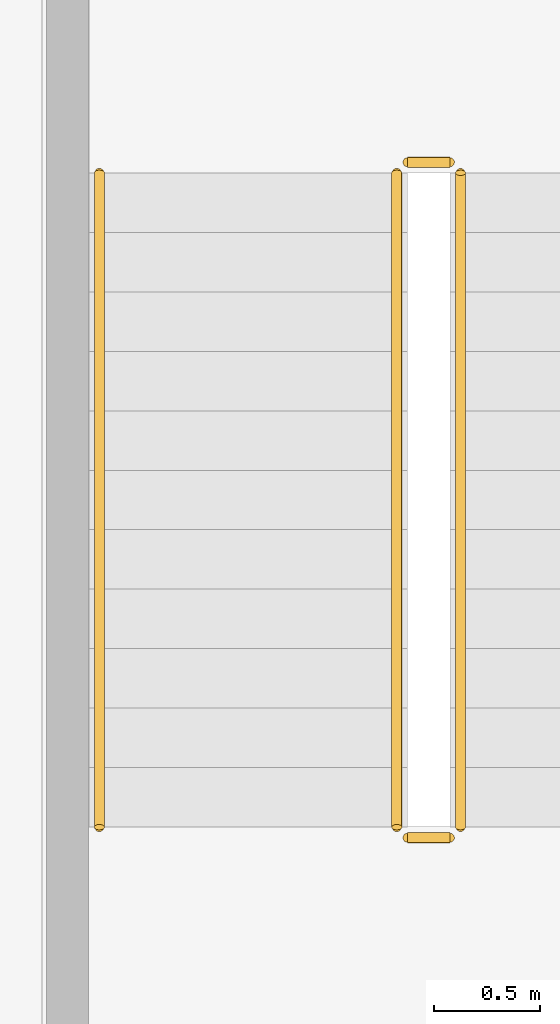
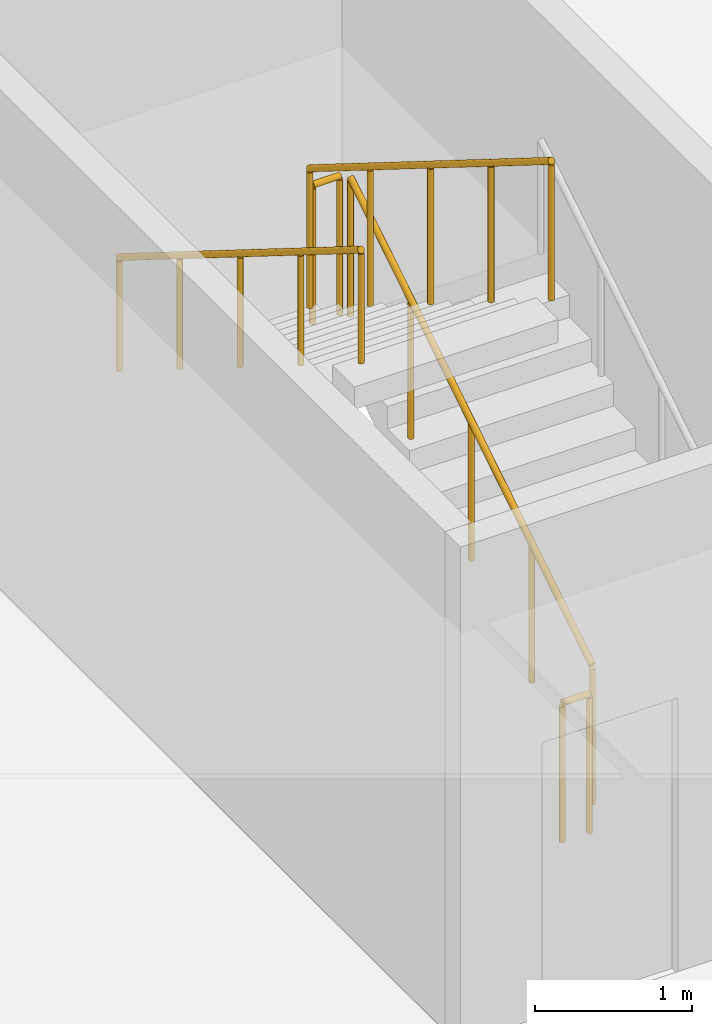
# One storey, part 20 of 22: 5 railings.
"""IFC4 building model written with IfcOpenShell, lengths in metres."""

from ifc_helpers import new_model, si_unit, direction, frame, origin, origin_2d, place, context, subcontext, project, spatial, circle, extrude, material, type_object, element, save


model = new_model("IFC4")

# Units and contexts
model_context = context("Model", 3, precision=1e-05, world=origin(), true_north=direction((0.0, 1.0)))
body_context = subcontext(model_context, "Body", "Model", "MODEL_VIEW")
ifc_project = project(units=[si_unit("LENGTHUNIT", "METRE"), si_unit("AREAUNIT", "SQUARE_METRE"), si_unit("VOLUMEUNIT", "CUBIC_METRE"), si_unit("PLANEANGLEUNIT", "RADIAN"), si_unit("MASSUNIT", "GRAM", prefix="KILO")], contexts=[model_context])

# Site, building, storey
site_placement = place(None, origin())
site = spatial("IfcSite", under=ifc_project, at=site_placement, CompositionType="ELEMENT")
building_placement = place(site_placement, origin())
building = spatial("IfcBuilding", under=site, at=building_placement, Name="Savorim Split Tower", CompositionType="ELEMENT")
storey_placement = place(building_placement, frame((0.0, 0.0, 17.60009765625)))
storey = spatial("IfcBuildingStorey", under=building, at=storey_placement, Name="L04", CompositionType="ELEMENT", Elevation=17.60009765625)

# Railings
ifc_material = material(Name="Galvanised Painted Steel Balustrade", Category="steel")
railing_type_1 = type_object("IfcRailingType", Name="RLG-HR-900", PredefinedType="HANDRAIL", material=ifc_material)
railing_1_placement = place(storey_placement, frame((20.64990234375, 18.179931640625, 2.27490234375)))
element("IfcRailing", 1, at=railing_1_placement, inside=storey, type_object=railing_type_1, Name="L04 ST-3 stair handrail 2", PredefinedType="HANDRAIL", context=body_context, shape_type="SweptSolid", body=[
    extrude(circle(Radius=0.02392578125, at=origin_2d()), frame((0.0, 0.0, 0.8759765625), z_axis=(0.0, -0.847979421464, 0.530029150871), x_axis=(1.0, 0.0, 0.0)), (0.0, 0.0, 1.0), 3.632080078125),
    extrude(circle(Radius=0.02099609375, at=origin_2d()), origin(), (0.0, 0.0, 1.0), 0.851806640625),
    extrude(circle(Radius=0.02099609375, at=origin_2d()), frame((0.0, -0.77001953125, 0.481201171875)), (0.0, 0.0, 1.0), 0.851806640625),
    extrude(circle(Radius=0.02099609375, at=origin_2d()), frame((0.0, -1.5400390625, 0.96240234375)), (0.0, 0.0, 1.0), 0.851806640625),
    extrude(circle(Radius=0.02099609375, at=origin_2d()), frame((0.0, -2.309814453125, 1.44384765625)), (0.0, 0.0, 1.0), 0.851806640625),
    extrude(circle(Radius=0.02099609375, at=origin_2d()), frame((0.0, -3.079833984375, 1.925048828125)), (0.0, 0.0, 1.0), 0.851806640625),
])
railing_type_2 = type_object("IfcRailingType", Name="RLG-STG-1100", PredefinedType="BALUSTRADE", material=ifc_material)
railing_2_placement = place(storey_placement, frame((22.35009765625, 15.10009765625, 0.1748046875)))
element("IfcRailing", 2, at=railing_2_placement, inside=storey, type_object=railing_type_2, Name="L04 ST-3 stair guard 1", PredefinedType="BALUSTRADE", context=body_context, shape_type="SweptSolid", body=[
    extrude(circle(Radius=0.02392578125, at=origin_2d()), frame((0.0, 0.0, 1.076171875), z_axis=(0.0, 0.847979421464, 0.530029150871), x_axis=(-1.0, 0.0, 0.0)), (0.0, 0.0, 1.0), 3.632080078125),
    extrude(circle(Radius=0.02099609375, at=origin_2d()), origin(), (0.0, 0.0, 1.0), 1.052001953125),
    extrude(circle(Radius=0.02099609375, at=origin_2d()), frame((0.0, 0.77001953125, 0.481201171875)), (0.0, 0.0, 1.0), 1.052001953125),
    extrude(circle(Radius=0.02099609375, at=origin_2d()), frame((0.0, 1.5400390625, 0.96240234375)), (0.0, 0.0, 1.0), 1.052001953125),
    extrude(circle(Radius=0.02099609375, at=origin_2d()), frame((0.0, 2.309814453125, 1.44384765625)), (0.0, 0.0, 1.0), 1.052001953125),
    extrude(circle(Radius=0.02099609375, at=origin_2d()), frame((0.0, 3.079833984375, 1.925048828125)), (0.0, 0.0, 1.0), 1.052001953125),
])
railing_3_placement = place(storey_placement, frame((22.300048828125, 18.22998046875, 2.099853515625)))
element("IfcRailing", 3, at=railing_3_placement, inside=storey, type_object=railing_type_2, Name="L04 ST-3 stair guard 2", PredefinedType="BALUSTRADE", context=body_context, shape_type="SweptSolid", body=[
    extrude(circle(Radius=0.02392578125, at=origin_2d()), frame((0.0, 0.0, 1.076171875), z_axis=(-1.0, 0.0, 0.0), x_axis=(0.0, -1.0, 0.0)), (0.0, 0.0, 1.0), 0.199951171875),
    extrude(circle(Radius=0.02099609375, at=origin_2d()), origin(), (0.0, 0.0, 1.0), 1.052001953125),
    extrude(circle(Radius=0.02099609375, at=origin_2d()), frame((-0.199951171875, 0.0, 0.0)), (0.0, 0.0, 1.0), 1.052001953125),
])
railing_4_placement = place(storey_placement, frame((22.050048828125, 18.179931640625, 2.27490234375)))
element("IfcRailing", 4, at=railing_4_placement, inside=storey, type_object=railing_type_2, Name="L04 ST-3 stair guard 3", PredefinedType="BALUSTRADE", context=body_context, shape_type="SweptSolid", body=[
    extrude(circle(Radius=0.02392578125, at=origin_2d()), frame((0.0, 0.0, 1.076171875), z_axis=(0.0, -0.847979421464, 0.530029150871), x_axis=(1.0, 0.0, 0.0)), (0.0, 0.0, 1.0), 3.632080078125),
    extrude(circle(Radius=0.02099609375, at=origin_2d()), origin(), (0.0, 0.0, 1.0), 1.052001953125),
    extrude(circle(Radius=0.02099609375, at=origin_2d()), frame((0.0, -0.77001953125, 0.481201171875)), (0.0, 0.0, 1.0), 1.052001953125),
    extrude(circle(Radius=0.02099609375, at=origin_2d()), frame((0.0, -1.5400390625, 0.96240234375)), (0.0, 0.0, 1.0), 1.052001953125),
    extrude(circle(Radius=0.02099609375, at=origin_2d()), frame((0.0, -2.309814453125, 1.44384765625)), (0.0, 0.0, 1.0), 1.052001953125),
    extrude(circle(Radius=0.02099609375, at=origin_2d()), frame((0.0, -3.079833984375, 1.925048828125)), (0.0, 0.0, 1.0), 1.052001953125),
])
railing_5_placement = place(storey_placement, frame((22.300048828125, 15.050048828125, 0.0)))
element("IfcRailing", 5, at=railing_5_placement, inside=storey, type_object=railing_type_2, Name="L04 ST-3 stair guard 4", PredefinedType="BALUSTRADE", context=body_context, shape_type="SweptSolid", body=[
    extrude(circle(Radius=0.02392578125, at=origin_2d()), frame((0.0, 0.0, 1.076171875), z_axis=(-1.0, 0.0, 0.0), x_axis=(0.0, -1.0, 0.0)), (0.0, 0.0, 1.0), 0.199951171875),
    extrude(circle(Radius=0.02099609375, at=origin_2d()), origin(), (0.0, 0.0, 1.0), 1.052001953125),
    extrude(circle(Radius=0.02099609375, at=origin_2d()), frame((-0.199951171875, 0.0, 0.0)), (0.0, 0.0, 1.0), 1.052001953125),
])

save(model, "model.ifc")
